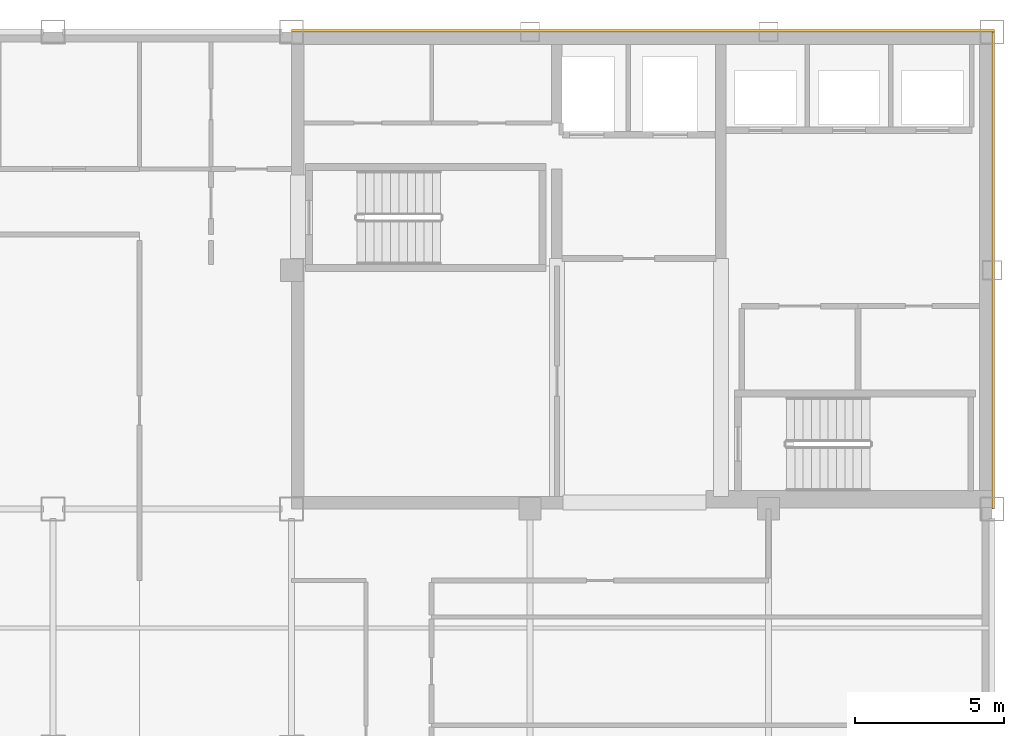
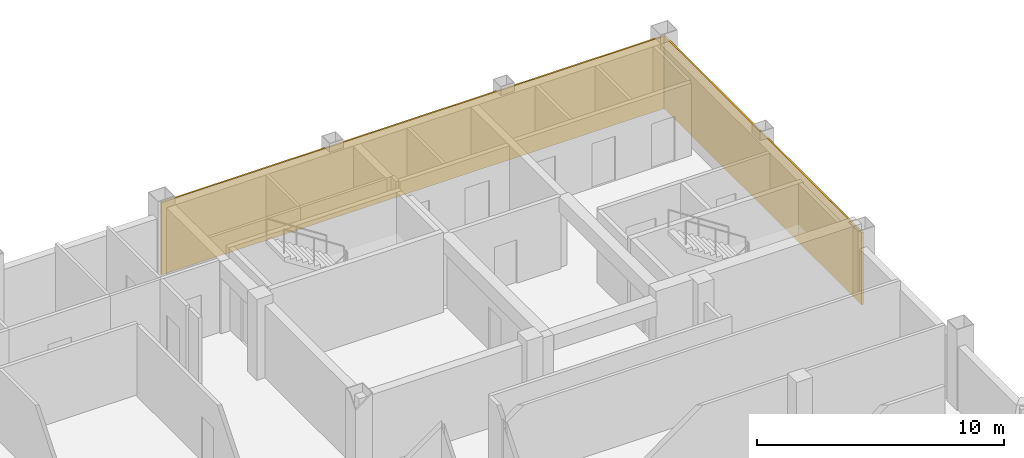
# One storey, part 7 of 7: 2 coverings.
"""IFC4 building model written with IfcOpenShell, lengths in metres."""

from ifc_helpers import new_model, si_unit, direction, frame, origin, origin_2d, place, context, subcontext, project, spatial, rectangle, extrude, material, layer, layer_set, type_object, element, save


model = new_model("IFC4")

# Units and contexts
model_context = context("Model", 3, precision=1e-05, world=origin(), true_north=direction((0.0, 1.0)))
body_context = subcontext(model_context, "Body", "Model", "MODEL_VIEW")
ifc_project = project(units=[si_unit("LENGTHUNIT", "METRE"), si_unit("AREAUNIT", "SQUARE_METRE"), si_unit("VOLUMEUNIT", "CUBIC_METRE"), si_unit("PLANEANGLEUNIT", "RADIAN"), si_unit("MASSUNIT", "GRAM", prefix="KILO")], contexts=[model_context])

# Site, building, storey
site_placement = place(None, origin())
site = spatial("IfcSite", under=ifc_project, at=site_placement, CompositionType="ELEMENT")
building_placement = place(site_placement, origin())
building = spatial("IfcBuilding", under=site, at=building_placement, Name="Qianrong Seaharbour Tower", CompositionType="ELEMENT")
storey_placement = place(building_placement, frame((0.0, 0.0, 363.199951171875)))
storey = spatial("IfcBuildingStorey", under=building, at=storey_placement, Name="L88", CompositionType="ELEMENT", Elevation=363.199951171875)

# Coverings
ifc_material = material(Name="Unitised red brick cladding on Precast concrete C45/55", Category="masonry")
ifc_layer = layer(ifc_material, 0.080078125)
ifc_layer_set = layer_set([ifc_layer], Name="Unitised red brick cladding on Precast concrete C45/55")
covering_type = type_object("IfcCoveringType", Name="COV-CLAD-RED-BRICK-80", PredefinedType="CLADDING", material=ifc_layer_set)
covering_1_placement = place(storey_placement, frame((52.2900390625, 52.0400390625, 0.0), z_axis=(0.0, 0.0, 1.0), x_axis=(1.0, 0.0, 0.0)))
element("IfcCovering", 1, at=covering_1_placement, inside=storey, type_object=covering_type, Name="L88 North Core Brick Veneer Cladding", PredefinedType="CLADDING", context=body_context, shape_type="SweptSolid", body=[
    extrude(rectangle(XDim=23.580078125, YDim=0.080078125, at=origin_2d()), origin(), (0.0, 0.0, 1.0), 3.580078125),
])
covering_2_placement = place(storey_placement, frame((64.0400390625, 44.0, 0.0), z_axis=(0.0, 0.0, 1.0), x_axis=(1.0, 0.0, 0.0)))
element("IfcCovering", 2, at=covering_2_placement, inside=storey, type_object=covering_type, Name="L88 East Core Brick Veneer Cladding", PredefinedType="CLADDING", context=body_context, shape_type="SweptSolid", body=[
    extrude(rectangle(XDim=0.080078125, YDim=16.0, at=origin_2d()), origin(), (0.0, 0.0, 1.0), 3.580078125),
])

save(model, "model.ifc")
